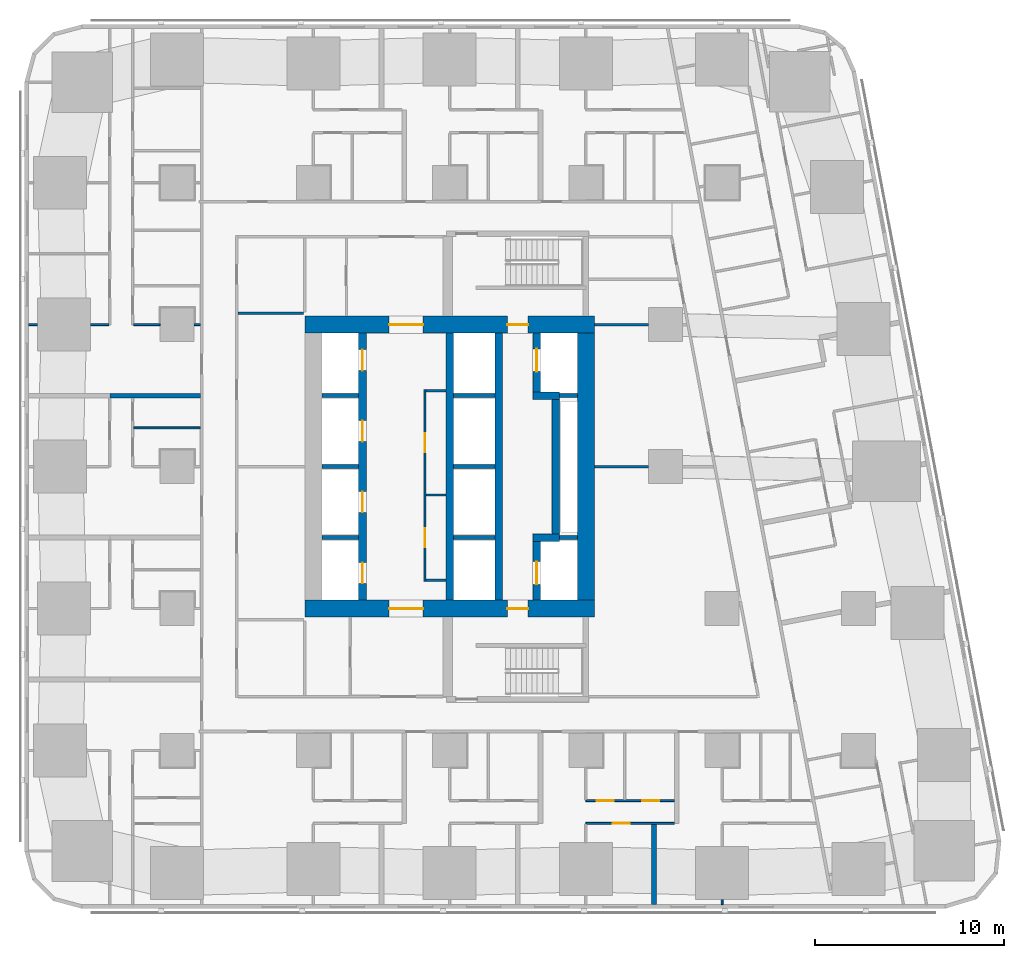
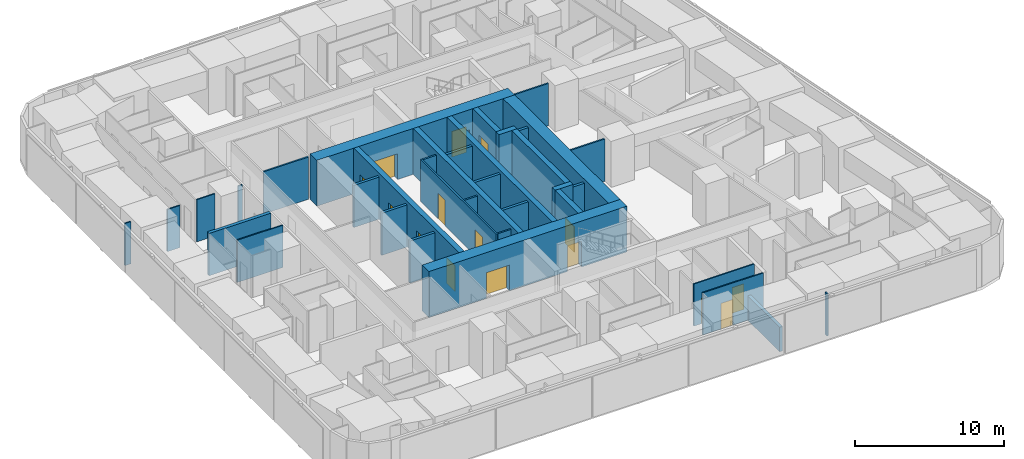
# One storey, part 5 of 15: 36 walls, 15 doors, 15 openings.
"""IFC4 building model written with IfcOpenShell, lengths in metres."""

from ifc_helpers import new_model, si_unit, direction, frame, frame_2d, origin, place, context, subcontext, project, spatial, rectangle, extrude, material, layer, layer_set, type_object, element, fill, save


model = new_model("IFC4")

# Units and contexts
model_context = context("Model", 3, precision=1e-05, world=origin(), true_north=direction((0.0, 1.0)))
body_context = subcontext(model_context, "Body", "Model", "MODEL_VIEW")
ifc_project = project(units=[si_unit("LENGTHUNIT", "METRE"), si_unit("AREAUNIT", "SQUARE_METRE"), si_unit("VOLUMEUNIT", "CUBIC_METRE"), si_unit("PLANEANGLEUNIT", "RADIAN"), si_unit("MASSUNIT", "GRAM", prefix="KILO")], contexts=[model_context])

# Site, building, storey
site_placement = place(None, origin())
site = spatial("IfcSite", under=ifc_project, at=site_placement, CompositionType="ELEMENT")
building_placement = place(site_placement, origin())
building = spatial("IfcBuilding", under=site, at=building_placement, Name="Sheger Commons Tower", CompositionType="ELEMENT")
storey_placement = place(building_placement, frame((0.0, 0.0, 68.75)))
storey = spatial("IfcBuildingStorey", under=building, at=storey_placement, Name="L17", CompositionType="ELEMENT", Elevation=68.75)

# Wall, openings, doors
ifc_material_1 = material(Name="Concrete C50/60", Category="concrete")
ifc_layer_1 = layer(ifc_material_1, 0.39990234375)
ifc_layer_set_1 = layer_set([ifc_layer_1], Name="CORE INNER WALL 400")
wall_type_1 = type_object("IfcWallType", Name="CORE INNER WALL 400", PredefinedType="SHEAR", material=ifc_layer_set_1)
wall_1_placement = place(storey_placement, frame((17.0, 15.449951171875, 0.0), z_axis=(0.0, 0.0, 1.0), x_axis=(0.0, 1.0, 0.0)))
wall_1 = element("IfcWall", 1, at=wall_1_placement, inside=storey, type_object=wall_type_1, Name="Core inner wall A L17", PredefinedType="SHEAR", context=body_context, shape_type="SweptSolid", body=[
    extrude(rectangle(XDim=14.10009765625, YDim=0.39990234375, at=frame_2d((7.050048828125, 0.0))), origin(), (0.0, 0.0, 1.0), 3.75),
])
opening_1_placement = place(wall_1_placement, frame((0.875, 0.0, 0.0)))
opening_1 = element("IfcOpeningElement", 2, at=opening_1_placement, cuts=wall_1, Name="Opening LD", PredefinedType="OPENING", context=body_context, shape_type="SweptSolid", body=[
    extrude(rectangle(XDim=1.10009765625, YDim=2.10009765625, at=frame_2d((0.550048828125, 1.050048828125))), frame((0.0, 0.2099609375, 0.0), z_axis=(0.0, -1.0, 0.0), x_axis=(1.0, 0.0, 0.0)), (0.0, 0.0, 1.0), 0.419921875),
])
opening_2_placement = place(wall_1_placement, frame((4.625, 0.0, 0.0)))
opening_2 = element("IfcOpeningElement", 3, at=opening_2_placement, cuts=wall_1, Name="Opening LD", PredefinedType="OPENING", context=body_context, shape_type="SweptSolid", body=[
    extrude(rectangle(XDim=1.10009765625, YDim=2.10009765625, at=frame_2d((0.550048828125, 1.050048828125))), frame((0.0, 0.2099609375, 0.0), z_axis=(0.0, -1.0, 0.0), x_axis=(1.0, 0.0, 0.0)), (0.0, 0.0, 1.0), 0.419921875),
])
opening_3_placement = place(wall_1_placement, frame((8.375, 0.0, 0.0)))
opening_3 = element("IfcOpeningElement", 4, at=opening_3_placement, cuts=wall_1, Name="Opening LD", PredefinedType="OPENING", context=body_context, shape_type="SweptSolid", body=[
    extrude(rectangle(XDim=1.10009765625, YDim=2.10009765625, at=frame_2d((0.550048828125, 1.050048828125))), frame((0.0, 0.2099609375, 0.0), z_axis=(0.0, -1.0, 0.0), x_axis=(1.0, 0.0, 0.0)), (0.0, 0.0, 1.0), 0.419921875),
])
opening_4_placement = place(wall_1_placement, frame((12.125, 0.0, 0.0)))
opening_4 = element("IfcOpeningElement", 5, at=opening_4_placement, cuts=wall_1, Name="Opening LD", PredefinedType="OPENING", context=body_context, shape_type="SweptSolid", body=[
    extrude(rectangle(XDim=1.10009765625, YDim=2.10009765625, at=frame_2d((0.550048828125, 1.050048828125))), frame((0.0, 0.2099609375, 0.0), z_axis=(0.0, -1.0, 0.0), x_axis=(1.0, 0.0, 0.0)), (0.0, 0.0, 1.0), 0.419921875),
])
ifc_material_2 = material(Name="Steel door set, fire rated", Category="steel")
door_type_1 = type_object("IfcDoorType", Name="LIFT LANDING DOOR 1100x2100", OperationType="DOUBLE_DOOR_SLIDING", PredefinedType="DOOR", material=ifc_material_2)
door_1_placement = place(opening_1_placement, origin())
door_1 = element("IfcDoor", 6, at=door_1_placement, inside=storey, type_object=door_type_1, Name="Lift LA1 landing door", OperationType="DOUBLE_DOOR_SLIDING", OverallHeight=2.10009765625, OverallWidth=1.10009765625, PredefinedType="DOOR", context=body_context, shape_type="SweptSolid", body=[
    extrude(rectangle(XDim=1.10009765625, YDim=2.10009765625, at=frame_2d((0.550048828125, 1.050048828125))), frame((0.0, 0.02490234375, 0.0), z_axis=(0.0, -1.0, 0.0), x_axis=(1.0, 0.0, 0.0)), (0.0, 0.0, 1.0), 0.050048828125),
])
fill(opening_1, door_1)
door_2_placement = place(opening_2_placement, origin())
door_2 = element("IfcDoor", 7, at=door_2_placement, inside=storey, type_object=door_type_1, Name="Lift LA2 landing door", OperationType="DOUBLE_DOOR_SLIDING", OverallHeight=2.10009765625, OverallWidth=1.10009765625, PredefinedType="DOOR", context=body_context, shape_type="SweptSolid", body=[
    extrude(rectangle(XDim=1.10009765625, YDim=2.10009765625, at=frame_2d((0.550048828125, 1.050048828125))), frame((0.0, 0.02490234375, 0.0), z_axis=(0.0, -1.0, 0.0), x_axis=(1.0, 0.0, 0.0)), (0.0, 0.0, 1.0), 0.050048828125),
])
fill(opening_2, door_2)
door_3_placement = place(opening_3_placement, origin())
door_3 = element("IfcDoor", 8, at=door_3_placement, inside=storey, type_object=door_type_1, Name="Lift LA3 landing door", OperationType="DOUBLE_DOOR_SLIDING", OverallHeight=2.10009765625, OverallWidth=1.10009765625, PredefinedType="DOOR", context=body_context, shape_type="SweptSolid", body=[
    extrude(rectangle(XDim=1.10009765625, YDim=2.10009765625, at=frame_2d((0.550048828125, 1.050048828125))), frame((0.0, 0.02490234375, 0.0), z_axis=(0.0, -1.0, 0.0), x_axis=(1.0, 0.0, 0.0)), (0.0, 0.0, 1.0), 0.050048828125),
])
fill(opening_3, door_3)
door_4_placement = place(opening_4_placement, origin())
door_4 = element("IfcDoor", 9, at=door_4_placement, inside=storey, type_object=door_type_1, Name="Lift LA4 landing door", OperationType="DOUBLE_DOOR_SLIDING", OverallHeight=2.10009765625, OverallWidth=1.10009765625, PredefinedType="DOOR", context=body_context, shape_type="SweptSolid", body=[
    extrude(rectangle(XDim=1.10009765625, YDim=2.10009765625, at=frame_2d((0.550048828125, 1.050048828125))), frame((0.0, 0.02490234375, 0.0), z_axis=(0.0, -1.0, 0.0), x_axis=(1.0, 0.0, 0.0)), (0.0, 0.0, 1.0), 0.050048828125),
])
fill(opening_4, door_4)

# Walls
for number, where, z_axis, x_axis, name in (
    (10, (21.60009765625, 15.449951171875, 0.0), (0.0, 0.0, 1.0), (0.0, 1.0, 0.0), "Core inner wall L L17"),
    (11, (24.199951171875, 15.449951171875, 0.0), (0.0, 0.0, 1.0), (0.0, 1.0, 0.0), "Core inner wall B L17"),
):
    element("IfcWall", number, at=place(storey_placement, frame(where, z_axis=z_axis, x_axis=x_axis)), inside=storey, type_object=wall_type_1, Name=name, PredefinedType="SHEAR", context=body_context, shape_type="SweptSolid", body=[
        extrude(rectangle(XDim=14.10009765625, YDim=0.39990234375, at=frame_2d((7.050048828125, 0.0))), origin(), (0.0, 0.0, 1.0), 3.75),
    ])

# Wall, opening, door
wall_2_placement = place(storey_placement, frame((26.199951171875, 15.449951171875, 0.0), z_axis=(0.0, 0.0, 1.0), x_axis=(0.0, 1.0, 0.0)))
wall_2 = element("IfcWall", 12, at=wall_2_placement, inside=storey, type_object=wall_type_1, Name="Core inner wall F L17", PredefinedType="SHEAR", context=body_context, shape_type="SweptSolid", body=[
    extrude(rectangle(XDim=3.10009765625, YDim=0.39990234375, at=frame_2d((1.550048828125, 0.0))), origin(), (0.0, 0.0, 1.0), 3.75),
])
opening_5_placement = place(wall_2_placement, frame((0.824951171875, 0.0, 0.0)))
opening_5 = element("IfcOpeningElement", 13, at=opening_5_placement, cuts=wall_2, Name="Opening LD2", PredefinedType="OPENING", context=body_context, shape_type="SweptSolid", body=[
    extrude(rectangle(XDim=1.199951171875, YDim=2.10009765625, at=frame_2d((0.60009765625, 1.050048828125))), frame((0.0, 0.2099609375, 0.0), z_axis=(0.0, -1.0, 0.0), x_axis=(1.0, 0.0, 0.0)), (0.0, 0.0, 1.0), 0.419921875),
])
ifc_material_3 = material(Name="Steel door set, fire rated", Category="steel")
door_type_2 = type_object("IfcDoorType", Name="FIREFIGHTING LIFT LANDING DOOR 1200x2100", OperationType="DOUBLE_DOOR_SLIDING", PredefinedType="DOOR", material=ifc_material_3)
door_5_placement = place(opening_5_placement, origin())
door_5 = element("IfcDoor", 14, at=door_5_placement, inside=storey, type_object=door_type_2, Name="Lift FL1 landing door", OperationType="DOUBLE_DOOR_SLIDING", OverallHeight=2.10009765625, OverallWidth=1.199951171875, PredefinedType="DOOR", context=body_context, shape_type="SweptSolid", body=[
    extrude(rectangle(XDim=1.199951171875, YDim=2.10009765625, at=frame_2d((0.60009765625, 1.050048828125))), frame((0.0, 0.02490234375, 0.0), z_axis=(0.0, -1.0, 0.0), x_axis=(1.0, 0.0, 0.0)), (0.0, 0.0, 1.0), 0.050048828125),
])
fill(opening_5, door_5)

# Walls
wall_3_placement = place(storey_placement, frame((26.0, 18.75, 0.0), z_axis=(0.0, 0.0, 1.0), x_axis=(1.0, 0.0, 0.0)))
element("IfcWall", 15, at=wall_3_placement, inside=storey, type_object=wall_type_1, Name="Core inner wall F south return L17", PredefinedType="SHEAR", context=body_context, shape_type="SweptSolid", body=[
    extrude(rectangle(XDim=1.39990234375, YDim=0.39990234375, at=frame_2d((0.699951171875, 0.0))), origin(), (0.0, 0.0, 1.0), 3.75),
])
wall_4_placement = place(storey_placement, frame((27.199951171875, 18.949951171875, 0.0), z_axis=(0.0, 0.0, 1.0), x_axis=(0.0, 1.0, 0.0)))
element("IfcWall", 16, at=wall_4_placement, inside=storey, type_object=wall_type_1, Name="Core inner wall F middle L17", PredefinedType="SHEAR", context=body_context, shape_type="SweptSolid", body=[
    extrude(rectangle(XDim=7.10009765625, YDim=0.39990234375, at=frame_2d((3.550048828125, 0.0))), origin(), (0.0, 0.0, 1.0), 3.75),
])
wall_5_placement = place(storey_placement, frame((26.0, 26.25, 0.0), z_axis=(0.0, 0.0, 1.0), x_axis=(1.0, 0.0, 0.0)))
element("IfcWall", 17, at=wall_5_placement, inside=storey, type_object=wall_type_1, Name="Core inner wall F north return L17", PredefinedType="SHEAR", context=body_context, shape_type="SweptSolid", body=[
    extrude(rectangle(XDim=1.39990234375, YDim=0.39990234375, at=frame_2d((0.699951171875, 0.0))), origin(), (0.0, 0.0, 1.0), 3.75),
])

# Wall, opening, door
wall_6_placement = place(storey_placement, frame((26.199951171875, 26.449951171875, 0.0), z_axis=(0.0, 0.0, 1.0), x_axis=(0.0, 1.0, 0.0)))
wall_6 = element("IfcWall", 18, at=wall_6_placement, inside=storey, type_object=wall_type_1, Name="Core inner wall F north L17", PredefinedType="SHEAR", context=body_context, shape_type="SweptSolid", body=[
    extrude(rectangle(XDim=3.10009765625, YDim=0.39990234375, at=frame_2d((1.550048828125, 0.0))), origin(), (0.0, 0.0, 1.0), 3.75),
])
opening_6_placement = place(wall_6_placement, frame((1.074951171875, 0.0, 0.0)))
opening_6 = element("IfcOpeningElement", 19, at=opening_6_placement, cuts=wall_6, Name="Opening LD2", PredefinedType="OPENING", context=body_context, shape_type="SweptSolid", body=[
    extrude(rectangle(XDim=1.199951171875, YDim=2.10009765625, at=frame_2d((0.60009765625, 1.050048828125))), frame((0.0, 0.2099609375, 0.0), z_axis=(0.0, -1.0, 0.0), x_axis=(1.0, 0.0, 0.0)), (0.0, 0.0, 1.0), 0.419921875),
])
door_6_placement = place(opening_6_placement, origin())
door_6 = element("IfcDoor", 20, at=door_6_placement, inside=storey, type_object=door_type_2, Name="Lift FL2 landing door", OperationType="DOUBLE_DOOR_SLIDING", OverallHeight=2.10009765625, OverallWidth=1.199951171875, PredefinedType="DOOR", context=body_context, shape_type="SweptSolid", body=[
    extrude(rectangle(XDim=1.199951171875, YDim=2.10009765625, at=frame_2d((0.60009765625, 1.050048828125))), frame((0.0, 0.02490234375, 0.0), z_axis=(0.0, -1.0, 0.0), x_axis=(1.0, 0.0, 0.0)), (0.0, 0.0, 1.0), 0.050048828125),
])
fill(opening_6, door_6)

# Wall, openings, doors
ifc_material_4 = material(Name="Concrete C50/60", Category="concrete")
ifc_layer_2 = layer(ifc_material_4, 0.89990234375)
ifc_layer_set_2 = layer_set([ifc_layer_2], Name="CORE WALL 900")
wall_type_2 = type_object("IfcWallType", Name="CORE WALL 900", PredefinedType="SHEAR", material=ifc_layer_set_2)
wall_7_placement = place(storey_placement, frame((13.949951171875, 15.0, 0.0), z_axis=(0.0, 0.0, 1.0), x_axis=(1.0, 0.0, 0.0)))
wall_7 = element("IfcWall", 21, at=wall_7_placement, inside=storey, type_object=wall_type_2, Name="Core wall south L17", PredefinedType="SHEAR", context=body_context, shape_type="SweptSolid", body=[
    extrude(rectangle(XDim=15.300048828125, YDim=0.89990234375, at=frame_2d((7.64990234375, 0.0))), origin(), (0.0, 0.0, 1.0), 3.75),
])
opening_7_placement = place(wall_7_placement, frame((4.449951171875, 0.0, 0.0)))
opening_7 = element("IfcOpeningElement", 22, at=opening_7_placement, cuts=wall_7, Name="Opening D6", PredefinedType="OPENING", context=body_context, shape_type="SweptSolid", body=[
    extrude(rectangle(XDim=1.800048828125, YDim=2.10009765625, at=frame_2d((0.89990234375, 1.050048828125))), frame((0.0, 0.4599609375, 0.0), z_axis=(0.0, -1.0, 0.0), x_axis=(1.0, 0.0, 0.0)), (0.0, 0.0, 1.0), 0.919921875),
])
opening_8_placement = place(wall_7_placement, frame((10.699951171875, 0.0, 0.0)))
opening_8 = element("IfcOpeningElement", 23, at=opening_8_placement, cuts=wall_7, Name="Opening D5", PredefinedType="OPENING", context=body_context, shape_type="SweptSolid", body=[
    extrude(rectangle(XDim=1.10009765625, YDim=2.10009765625, at=frame_2d((0.550048828125, 1.050048828125))), frame((0.0, 0.4599609375, 0.0), z_axis=(0.0, -1.0, 0.0), x_axis=(1.0, 0.0, 0.0)), (0.0, 0.0, 1.0), 0.919921875),
])
ifc_material_5 = material(Name="Steel door set, fire rated", Category="steel")
door_type_3 = type_object("IfcDoorType", Name="LOBBY DOUBLE DOOR 1800x2100", OperationType="DOUBLE_DOOR_SINGLE_SWING", PredefinedType="DOOR", material=ifc_material_5)
door_7_placement = place(opening_7_placement, origin())
door_7 = element("IfcDoor", 24, at=door_7_placement, inside=storey, type_object=door_type_3, Name="Lift lobby door", OperationType="DOUBLE_DOOR_SINGLE_SWING", OverallHeight=2.10009765625, OverallWidth=1.800048828125, PredefinedType="DOOR", context=body_context, shape_type="SweptSolid", body=[
    extrude(rectangle(XDim=1.800048828125, YDim=2.10009765625, at=frame_2d((0.89990234375, 1.050048828125))), frame((0.0, 0.02490234375, 0.0), z_axis=(0.0, -1.0, 0.0), x_axis=(1.0, 0.0, 0.0)), (0.0, 0.0, 1.0), 0.050048828125),
])
fill(opening_7, door_7)
ifc_material_6 = material(Name="Steel door set, fire rated", Category="steel")
door_type_4 = type_object("IfcDoorType", Name="STAIR DOOR 1100x2100", OperationType="NOTDEFINED", PredefinedType="DOOR", material=ifc_material_6)
door_8_placement = place(opening_8_placement, origin())
door_8 = element("IfcDoor", 25, at=door_8_placement, inside=storey, type_object=door_type_4, Name="Fire-fighting lobby door", OperationType="SINGLE_SWING_LEFT", OverallHeight=2.10009765625, OverallWidth=1.10009765625, PredefinedType="DOOR", context=body_context, shape_type="SweptSolid", body=[
    extrude(rectangle(XDim=1.10009765625, YDim=2.10009765625, at=frame_2d((0.550048828125, 1.050048828125))), frame((0.0, 0.02490234375, 0.0), z_axis=(0.0, -1.0, 0.0), x_axis=(1.0, 0.0, 0.0)), (0.0, 0.0, 1.0), 0.050048828125),
])
fill(opening_8, door_8)

wall_8_placement = place(storey_placement, frame((13.949951171875, 30.0, 0.0), z_axis=(0.0, 0.0, 1.0), x_axis=(1.0, 0.0, 0.0)))
wall_8 = element("IfcWall", 26, at=wall_8_placement, inside=storey, type_object=wall_type_2, Name="Core wall north L17", PredefinedType="SHEAR", context=body_context, shape_type="SweptSolid", body=[
    extrude(rectangle(XDim=15.300048828125, YDim=0.89990234375, at=frame_2d((7.64990234375, 0.0))), origin(), (0.0, 0.0, 1.0), 3.75),
])
opening_9_placement = place(wall_8_placement, frame((4.449951171875, 0.0, 0.0)))
opening_9 = element("IfcOpeningElement", 27, at=opening_9_placement, cuts=wall_8, Name="Opening D6", PredefinedType="OPENING", context=body_context, shape_type="SweptSolid", body=[
    extrude(rectangle(XDim=1.800048828125, YDim=2.10009765625, at=frame_2d((0.89990234375, 1.050048828125))), frame((0.0, 0.4599609375, 0.0), z_axis=(0.0, -1.0, 0.0), x_axis=(1.0, 0.0, 0.0)), (0.0, 0.0, 1.0), 0.919921875),
])
opening_10_placement = place(wall_8_placement, frame((10.699951171875, 0.0, 0.0)))
opening_10 = element("IfcOpeningElement", 28, at=opening_10_placement, cuts=wall_8, Name="Opening D5", PredefinedType="OPENING", context=body_context, shape_type="SweptSolid", body=[
    extrude(rectangle(XDim=1.10009765625, YDim=2.10009765625, at=frame_2d((0.550048828125, 1.050048828125))), frame((0.0, 0.4599609375, 0.0), z_axis=(0.0, -1.0, 0.0), x_axis=(1.0, 0.0, 0.0)), (0.0, 0.0, 1.0), 0.919921875),
])
door_9_placement = place(opening_9_placement, origin())
door_9 = element("IfcDoor", 29, at=door_9_placement, inside=storey, type_object=door_type_3, Name="Lift lobby door", OperationType="DOUBLE_DOOR_SINGLE_SWING", OverallHeight=2.10009765625, OverallWidth=1.800048828125, PredefinedType="DOOR", context=body_context, shape_type="SweptSolid", body=[
    extrude(rectangle(XDim=1.800048828125, YDim=2.10009765625, at=frame_2d((0.89990234375, 1.050048828125))), frame((0.0, 0.02490234375, 0.0), z_axis=(0.0, -1.0, 0.0), x_axis=(1.0, 0.0, 0.0)), (0.0, 0.0, 1.0), 0.050048828125),
])
fill(opening_9, door_9)
door_10_placement = place(opening_10_placement, origin())
door_10 = element("IfcDoor", 30, at=door_10_placement, inside=storey, type_object=door_type_4, Name="Fire-fighting lobby door", OperationType="SINGLE_SWING_LEFT", OverallHeight=2.10009765625, OverallWidth=1.10009765625, PredefinedType="DOOR", context=body_context, shape_type="SweptSolid", body=[
    extrude(rectangle(XDim=1.10009765625, YDim=2.10009765625, at=frame_2d((0.550048828125, 1.050048828125))), frame((0.0, 0.02490234375, 0.0), z_axis=(0.0, -1.0, 0.0), x_axis=(1.0, 0.0, 0.0)), (0.0, 0.0, 1.0), 0.050048828125),
])
fill(opening_10, door_10)

# Walls
wall_9_placement = place(storey_placement, frame((28.800048828125, 15.449951171875, 0.0), z_axis=(0.0, 0.0, 1.0), x_axis=(0.0, 1.0, 0.0)))
element("IfcWall", 31, at=wall_9_placement, inside=storey, type_object=wall_type_2, Name="Core wall east L17", PredefinedType="SHEAR", context=body_context, shape_type="SweptSolid", body=[
    extrude(rectangle(XDim=14.10009765625, YDim=0.89990234375, at=frame_2d((7.050048828125, 0.0))), origin(), (0.0, 0.0, 1.0), 3.75),
])
ifc_material_7 = material(Name="Dense concrete block masonry, plastered both sides (separating wall between flats)", Category="masonry")
ifc_layer_3 = layer(ifc_material_7, 0.25)
ifc_layer_set_3 = layer_set([ifc_layer_3], Name="DEMISING WALL 250")
wall_type_3 = type_object("IfcWallType", Name="DEMISING WALL 250", PredefinedType="SOLIDWALL", material=ifc_layer_set_3)
wall_10_placement = place(storey_placement, frame((3.64990234375, 26.25, 0.0), z_axis=(0.0, 0.0, 1.0), x_axis=(1.0, 0.0, 0.0)))
element("IfcWall", 32, at=wall_10_placement, inside=storey, type_object=wall_type_3, Name="Demising wall L17", PredefinedType="SOLIDWALL", context=body_context, shape_type="SweptSolid", body=[
    extrude(rectangle(XDim=4.775146484375, YDim=0.25, at=frame_2d((2.3876953125, 0.0))), origin(), (0.0, 0.0, 1.0), 3.449951171875),
])
wall_11_placement = place(storey_placement, frame((32.39990234375, -0.64990234375, 0.0), z_axis=(0.0, 0.0, 1.0), x_axis=(0.0, 1.0, 0.0)))
element("IfcWall", 33, at=wall_11_placement, inside=storey, type_object=wall_type_3, Name="Demising wall L17", PredefinedType="SOLIDWALL", context=body_context, shape_type="SweptSolid", body=[
    extrude(rectangle(XDim=4.25, YDim=0.25, at=frame_2d((2.125, 0.0))), origin(), (0.0, 0.0, 1.0), 2.0),
])
ifc_material_8 = material(Name="Gypsum board on steel studs", Category="steel")
ifc_layer_4 = layer(ifc_material_8, 0.10009765625)
ifc_layer_set_4 = layer_set([ifc_layer_4], Name="PARTITION 100")
wall_type_4 = type_object("IfcWallType", Name="PARTITION 100", PredefinedType="PARTITIONING", material=ifc_layer_set_4)
wall_12_placement = place(storey_placement, frame((4.89990234375, 24.550048828125, 0.0), z_axis=(0.0, 0.0, 1.0), x_axis=(1.0, 0.0, 0.0)))
element("IfcWall", 34, at=wall_12_placement, inside=storey, type_object=wall_type_4, Name="Partition L17", PredefinedType="PARTITIONING", context=body_context, shape_type="SweptSolid", body=[
    extrude(rectangle(XDim=3.525146484375, YDim=0.10009765625, at=frame_2d((1.7626953125, 0.0))), origin(), (0.0, 0.0, 1.0), 3.449951171875),
])
wall_13_placement = place(storey_placement, frame((-0.64990234375, 30.0, 0.0), z_axis=(0.0, 0.0, 1.0), x_axis=(1.0, 0.0, 0.0)))
element("IfcWall", 35, at=wall_13_placement, inside=storey, type_object=wall_type_4, Name="Partition L17", PredefinedType="PARTITIONING", context=body_context, shape_type="SweptSolid", body=[
    extrude(rectangle(XDim=0.473876953125, YDim=0.10009765625, at=frame_2d((0.23681640625, 0.0))), origin(), (0.0, 0.0, 1.0), 3.449951171875),
])
wall_14_placement = place(storey_placement, frame((2.6259765625, 30.0, 0.0), z_axis=(0.0, 0.0, 1.0), x_axis=(1.0, 0.0, 0.0)))
element("IfcWall", 36, at=wall_14_placement, inside=storey, type_object=wall_type_4, Name="Partition L17", PredefinedType="PARTITIONING", context=body_context, shape_type="SweptSolid", body=[
    extrude(rectangle(XDim=0.97412109375, YDim=0.10009765625, at=frame_2d((0.487060546875, 0.0))), origin(), (0.0, 0.0, 1.0), 3.449951171875),
])
wall_15_placement = place(storey_placement, frame((4.89990234375, 30.0, 0.0), z_axis=(0.0, 0.0, 1.0), x_axis=(1.0, 0.0, 0.0)))
element("IfcWall", 37, at=wall_15_placement, inside=storey, type_object=wall_type_4, Name="Partition L17", PredefinedType="PARTITIONING", context=body_context, shape_type="SweptSolid", body=[
    extrude(rectangle(XDim=1.399169921875, YDim=0.10009765625, at=frame_2d((0.69970703125, 0.0))), origin(), (0.0, 0.0, 1.0), 3.449951171875),
])
wall_16_placement = place(storey_placement, frame((8.10107421875, 30.0, 0.0), z_axis=(0.0, 0.0, 1.0), x_axis=(1.0, 0.0, 0.0)))
element("IfcWall", 38, at=wall_16_placement, inside=storey, type_object=wall_type_4, Name="Partition L17", PredefinedType="PARTITIONING", context=body_context, shape_type="SweptSolid", body=[
    extrude(rectangle(XDim=0.323974609375, YDim=0.10009765625, at=frame_2d((0.162109375, 0.0))), origin(), (0.0, 0.0, 1.0), 3.449951171875),
])

# Wall, opening, door
wall_17_placement = place(storey_placement, frame((33.47412109375, 3.64990234375, 0.0), z_axis=(0.0, 0.0, 1.0), x_axis=(-1.0, 0.0, 0.0)))
wall_17 = element("IfcWall", 39, at=wall_17_placement, inside=storey, type_object=wall_type_4, Name="Partition L17", PredefinedType="PARTITIONING", context=body_context, shape_type="SweptSolid", body=[
    extrude(rectangle(XDim=4.674072265625, YDim=0.10009765625, at=frame_2d((2.3369140625, 0.0))), origin(), (0.0, 0.0, 1.0), 3.449951171875),
])
opening_11_placement = place(wall_17_placement, frame((2.35009765625, 0.0, 0.0)))
opening_11 = element("IfcOpeningElement", 40, at=opening_11_placement, cuts=wall_17, Name="Opening D2", PredefinedType="OPENING", context=body_context, shape_type="SweptSolid", body=[
    extrude(rectangle(XDim=0.89990234375, YDim=2.10009765625, at=frame_2d((0.449951171875, 1.050048828125))), frame((0.0, 0.06005859375, 0.0), z_axis=(0.0, -1.0, 0.0), x_axis=(1.0, 0.0, 0.0)), (0.0, 0.0, 1.0), 0.1201171875),
])
ifc_material_9 = material(Name="Timber door set", Category="wood")
door_type_5 = type_object("IfcDoorType", Name="INTERNAL DOOR 900x2100", OperationType="NOTDEFINED", PredefinedType="DOOR", material=ifc_material_9)
door_11_placement = place(opening_11_placement, origin())
door_11 = element("IfcDoor", 41, at=door_11_placement, inside=storey, type_object=door_type_5, Name="Main bedroom door", OperationType="SINGLE_SWING_RIGHT", OverallHeight=2.10009765625, OverallWidth=0.89990234375, PredefinedType="DOOR", context=body_context, shape_type="SweptSolid", body=[
    extrude(rectangle(XDim=0.89990234375, YDim=2.10009765625, at=frame_2d((0.449951171875, 1.050048828125))), frame((0.0, 0.02490234375, 0.0), z_axis=(0.0, -1.0, 0.0), x_axis=(1.0, 0.0, 0.0)), (0.0, 0.0, 1.0), 0.050048828125),
])
fill(opening_11, door_11)

# Wall, openings, doors
wall_18_placement = place(storey_placement, frame((33.47412109375, 4.85009765625, 0.0), z_axis=(0.0, 0.0, 1.0), x_axis=(-1.0, 0.0, 0.0)))
wall_18 = element("IfcWall", 42, at=wall_18_placement, inside=storey, type_object=wall_type_4, Name="Partition L17", PredefinedType="PARTITIONING", context=body_context, shape_type="SweptSolid", body=[
    extrude(rectangle(XDim=4.674072265625, YDim=0.10009765625, at=frame_2d((2.3369140625, 0.0))), origin(), (0.0, 0.0, 1.0), 3.449951171875),
])
opening_12_placement = place(wall_18_placement, frame((3.198974609375, 0.0, 0.0)))
opening_12 = element("IfcOpeningElement", 43, at=opening_12_placement, cuts=wall_18, Name="Opening D2", PredefinedType="OPENING", context=body_context, shape_type="SweptSolid", body=[
    extrude(rectangle(XDim=0.89990234375, YDim=2.10009765625, at=frame_2d((0.449951171875, 1.050048828125))), frame((0.0, 0.06005859375, 0.0), z_axis=(0.0, -1.0, 0.0), x_axis=(1.0, 0.0, 0.0)), (0.0, 0.0, 1.0), 0.1201171875),
])
opening_13_placement = place(wall_18_placement, frame((0.800048828125, 0.0, 0.0)))
opening_13 = element("IfcOpeningElement", 44, at=opening_13_placement, cuts=wall_18, Name="Opening D2", PredefinedType="OPENING", context=body_context, shape_type="SweptSolid", body=[
    extrude(rectangle(XDim=0.89990234375, YDim=2.10009765625, at=frame_2d((0.449951171875, 1.050048828125))), frame((0.0, 0.06005859375, 0.0), z_axis=(0.0, -1.0, 0.0), x_axis=(1.0, 0.0, 0.0)), (0.0, 0.0, 1.0), 0.1201171875),
])
door_12_placement = place(opening_12_placement, origin())
door_12 = element("IfcDoor", 45, at=door_12_placement, inside=storey, type_object=door_type_5, Name="Bathroom door", OperationType="SINGLE_SWING_LEFT", OverallHeight=2.10009765625, OverallWidth=0.89990234375, PredefinedType="DOOR", context=body_context, shape_type="SweptSolid", body=[
    extrude(rectangle(XDim=0.89990234375, YDim=2.10009765625, at=frame_2d((0.449951171875, 1.050048828125))), frame((0.0, 0.02490234375, 0.0), z_axis=(0.0, -1.0, 0.0), x_axis=(1.0, 0.0, 0.0)), (0.0, 0.0, 1.0), 0.050048828125),
])
fill(opening_12, door_12)
door_13_placement = place(opening_13_placement, origin())
door_13 = element("IfcDoor", 46, at=door_13_placement, inside=storey, type_object=door_type_5, Name="Store door", OperationType="SINGLE_SWING_RIGHT", OverallHeight=2.10009765625, OverallWidth=0.89990234375, PredefinedType="DOOR", context=body_context, shape_type="SweptSolid", body=[
    extrude(rectangle(XDim=0.89990234375, YDim=2.10009765625, at=frame_2d((0.449951171875, 1.050048828125))), frame((0.0, 0.02490234375, 0.0), z_axis=(0.0, -1.0, 0.0), x_axis=(1.0, 0.0, 0.0)), (0.0, 0.0, 1.0), 0.050048828125),
])
fill(opening_13, door_13)

# Walls
wall_19_placement = place(storey_placement, frame((36.0, -0.64990234375, 0.0), z_axis=(0.0, 0.0, 1.0), x_axis=(0.0, 1.0, 0.0)))
element("IfcWall", 47, at=wall_19_placement, inside=storey, type_object=wall_type_4, Name="Partition L17", PredefinedType="PARTITIONING", context=body_context, shape_type="SweptSolid", body=[
    extrude(rectangle(XDim=0.27392578125, YDim=0.10009765625, at=frame_2d((0.136962890625, 0.0))), origin(), (0.0, 0.0, 1.0), 3.449951171875),
])
ifc_material_10 = material(Name="Gypsum board on steel studs, two layers each side, fire rated", Category="steel")
ifc_layer_5 = layer(ifc_material_10, 0.125)
ifc_layer_set_5 = layer_set([ifc_layer_5], Name="SERVICE WALL 125")
wall_type_5 = type_object("IfcWallType", Name="SERVICE WALL 125", PredefinedType="PARTITIONING", material=ifc_layer_set_5)
wall_20_placement = place(storey_placement, frame((10.4130859375, 30.60009765625, 0.0), z_axis=(0.0, 0.0, 1.0), x_axis=(1.0, 0.0, 0.0)))
element("IfcWall", 48, at=wall_20_placement, inside=storey, type_object=wall_type_5, Name="Service room wall L17", PredefinedType="PARTITIONING", context=body_context, shape_type="SweptSolid", body=[
    extrude(rectangle(XDim=3.474853515625, YDim=0.125, at=frame_2d((1.7373046875, 0.0))), origin(), (0.0, 0.0, 1.0), 3.449951171875),
])
for number, where, z_axis, x_axis, name in (
    (49, (29.25, 22.5, 0.0), (0.0, 0.0, 1.0), (1.0, 0.0, 0.0), "Service room wall L17"),
    (50, (29.25, 30.0, 0.0), (0.0, 0.0, 1.0), (1.0, 0.0, 0.0), "Service room wall L17"),
):
    element("IfcWall", number, at=place(storey_placement, frame(where, z_axis=z_axis, x_axis=x_axis)), inside=storey, type_object=wall_type_5, Name=name, PredefinedType="PARTITIONING", context=body_context, shape_type="SweptSolid", body=[
        extrude(rectangle(XDim=2.84912109375, YDim=0.125, at=frame_2d((1.424560546875, 0.0))), origin(), (0.0, 0.0, 1.0), 3.449951171875),
    ])

# Wall, openings, doors
wall_21_placement = place(storey_placement, frame((20.300048828125, 16.43798828125, 0.0), z_axis=(0.0, 0.0, 1.0), x_axis=(0.0, 1.0, 0.0)))
wall_21 = element("IfcWall", 51, at=wall_21_placement, inside=storey, type_object=wall_type_5, Name="Service room wall L17", PredefinedType="PARTITIONING", context=body_context, shape_type="SweptSolid", body=[
    extrude(rectangle(XDim=10.1240234375, YDim=0.125, at=frame_2d((5.06201171875, 0.0))), origin(), (0.0, 0.0, 1.0), 3.449951171875),
])
opening_14_placement = place(wall_21_placement, frame((1.81201171875, 0.0, 0.0)))
opening_14 = element("IfcOpeningElement", 52, at=opening_14_placement, cuts=wall_21, Name="Opening D4", PredefinedType="OPENING", context=body_context, shape_type="SweptSolid", body=[
    extrude(rectangle(XDim=1.0, YDim=2.10009765625, at=frame_2d((0.5, 1.050048828125))), frame((0.0, 0.072509765625, 0.0), z_axis=(0.0, -1.0, 0.0), x_axis=(1.0, 0.0, 0.0)), (0.0, 0.0, 1.0), 0.14501953125),
])
opening_15_placement = place(wall_21_placement, frame((6.81201171875, 0.0, 0.0)))
opening_15 = element("IfcOpeningElement", 53, at=opening_15_placement, cuts=wall_21, Name="Opening D4", PredefinedType="OPENING", context=body_context, shape_type="SweptSolid", body=[
    extrude(rectangle(XDim=1.0, YDim=2.10009765625, at=frame_2d((0.5, 1.050048828125))), frame((0.0, 0.072509765625, 0.0), z_axis=(0.0, -1.0, 0.0), x_axis=(1.0, 0.0, 0.0)), (0.0, 0.0, 1.0), 0.14501953125),
])
ifc_material_11 = material(Name="Steel door set, fire rated", Category="steel")
door_type_6 = type_object("IfcDoorType", Name="SERVICE DOOR 1000x2100", OperationType="NOTDEFINED", PredefinedType="DOOR", material=ifc_material_11)
door_14_placement = place(opening_14_placement, origin())
door_14 = element("IfcDoor", 54, at=door_14_placement, inside=storey, type_object=door_type_6, Name="Cleaner's cupboard door", OperationType="SINGLE_SWING_RIGHT", OverallHeight=2.10009765625, OverallWidth=1.0, PredefinedType="DOOR", context=body_context, shape_type="SweptSolid", body=[
    extrude(rectangle(XDim=1.0, YDim=2.10009765625, at=frame_2d((0.5, 1.050048828125))), frame((0.0, 0.02490234375, 0.0), z_axis=(0.0, -1.0, 0.0), x_axis=(1.0, 0.0, 0.0)), (0.0, 0.0, 1.0), 0.050048828125),
])
fill(opening_14, door_14)
door_15_placement = place(opening_15_placement, origin())
door_15 = element("IfcDoor", 55, at=door_15_placement, inside=storey, type_object=door_type_6, Name="Communications cupboard door", OperationType="SINGLE_SWING_LEFT", OverallHeight=2.10009765625, OverallWidth=1.0, PredefinedType="DOOR", context=body_context, shape_type="SweptSolid", body=[
    extrude(rectangle(XDim=1.0, YDim=2.10009765625, at=frame_2d((0.5, 1.050048828125))), frame((0.0, 0.02490234375, 0.0), z_axis=(0.0, -1.0, 0.0), x_axis=(1.0, 0.0, 0.0)), (0.0, 0.0, 1.0), 0.050048828125),
])
fill(opening_15, door_15)

# Walls
for number, where, z_axis, x_axis, name in (
    (56, (20.363037109375, 16.5, 0.0), (0.0, 0.0, 1.0), (1.0, 0.0, 0.0), "Service room wall L17"),
    (57, (20.363037109375, 26.5, 0.0), (0.0, 0.0, 1.0), (1.0, 0.0, 0.0), "Service room wall L17"),
    (58, (20.363037109375, 21.0, 0.0), (0.0, 0.0, 1.0), (1.0, 0.0, 0.0), "Service room wall L17"),
):
    element("IfcWall", number, at=place(storey_placement, frame(where, z_axis=z_axis, x_axis=x_axis)), inside=storey, type_object=wall_type_5, Name=name, PredefinedType="PARTITIONING", context=body_context, shape_type="SweptSolid", body=[
        extrude(rectangle(XDim=1.036865234375, YDim=0.125, at=frame_2d((0.5185546875, 0.0))), origin(), (0.0, 0.0, 1.0), 3.449951171875),
    ])
ifc_material_12 = material(Name="Hollow concrete block masonry", Category="masonry")
ifc_layer_6 = layer(ifc_material_12, 0.199951171875)
ifc_layer_set_6 = layer_set([ifc_layer_6], Name="SHAFT WALL 200")
wall_type_6 = type_object("IfcWallType", Name="SHAFT WALL 200", PredefinedType="SOLIDWALL", material=ifc_layer_set_6)
wall_22_placement = place(storey_placement, frame((14.85009765625, 18.75, 0.0), z_axis=(0.0, 0.0, 1.0), x_axis=(1.0, 0.0, 0.0)))
element("IfcWall", 59, at=wall_22_placement, inside=storey, type_object=wall_type_6, Name="Lift shaft wall L17", PredefinedType="SOLIDWALL", context=body_context, shape_type="SweptSolid", body=[
    extrude(rectangle(XDim=1.949951171875, YDim=0.199951171875, at=frame_2d((0.97509765625, 0.0))), origin(), (0.0, 0.0, 1.0), 3.449951171875),
])
wall_23_placement = place(storey_placement, frame((21.800048828125, 18.75, 0.0), z_axis=(0.0, 0.0, 1.0), x_axis=(1.0, 0.0, 0.0)))
element("IfcWall", 60, at=wall_23_placement, inside=storey, type_object=wall_type_6, Name="Lift shaft wall L17", PredefinedType="SOLIDWALL", context=body_context, shape_type="SweptSolid", body=[
    extrude(rectangle(XDim=2.199951171875, YDim=0.199951171875, at=frame_2d((1.10009765625, 0.0))), origin(), (0.0, 0.0, 1.0), 3.449951171875),
])
wall_24_placement = place(storey_placement, frame((14.85009765625, 22.5, 0.0), z_axis=(0.0, 0.0, 1.0), x_axis=(1.0, 0.0, 0.0)))
element("IfcWall", 61, at=wall_24_placement, inside=storey, type_object=wall_type_6, Name="Lift shaft wall L17", PredefinedType="SOLIDWALL", context=body_context, shape_type="SweptSolid", body=[
    extrude(rectangle(XDim=1.949951171875, YDim=0.199951171875, at=frame_2d((0.97509765625, 0.0))), origin(), (0.0, 0.0, 1.0), 3.449951171875),
])
wall_25_placement = place(storey_placement, frame((21.800048828125, 22.5, 0.0), z_axis=(0.0, 0.0, 1.0), x_axis=(1.0, 0.0, 0.0)))
element("IfcWall", 62, at=wall_25_placement, inside=storey, type_object=wall_type_6, Name="Lift shaft wall L17", PredefinedType="SOLIDWALL", context=body_context, shape_type="SweptSolid", body=[
    extrude(rectangle(XDim=2.199951171875, YDim=0.199951171875, at=frame_2d((1.10009765625, 0.0))), origin(), (0.0, 0.0, 1.0), 3.449951171875),
])
wall_26_placement = place(storey_placement, frame((14.85009765625, 26.25, 0.0), z_axis=(0.0, 0.0, 1.0), x_axis=(1.0, 0.0, 0.0)))
element("IfcWall", 63, at=wall_26_placement, inside=storey, type_object=wall_type_6, Name="Lift shaft wall L17", PredefinedType="SOLIDWALL", context=body_context, shape_type="SweptSolid", body=[
    extrude(rectangle(XDim=1.949951171875, YDim=0.199951171875, at=frame_2d((0.97509765625, 0.0))), origin(), (0.0, 0.0, 1.0), 3.449951171875),
])
wall_27_placement = place(storey_placement, frame((21.800048828125, 26.25, 0.0), z_axis=(0.0, 0.0, 1.0), x_axis=(1.0, 0.0, 0.0)))
element("IfcWall", 64, at=wall_27_placement, inside=storey, type_object=wall_type_6, Name="Lift shaft wall L17", PredefinedType="SOLIDWALL", context=body_context, shape_type="SweptSolid", body=[
    extrude(rectangle(XDim=2.199951171875, YDim=0.199951171875, at=frame_2d((1.10009765625, 0.0))), origin(), (0.0, 0.0, 1.0), 3.449951171875),
])
for number, where, z_axis, x_axis, name in (
    (65, (27.39990234375, 18.75, 0.0), (0.0, 0.0, 1.0), (1.0, 0.0, 0.0), "Lift shaft wall L17"),
    (66, (27.39990234375, 26.25, 0.0), (0.0, 0.0, 1.0), (1.0, 0.0, 0.0), "Lift shaft wall L17"),
):
    element("IfcWall", number, at=place(storey_placement, frame(where, z_axis=z_axis, x_axis=x_axis)), inside=storey, type_object=wall_type_6, Name=name, PredefinedType="SOLIDWALL", context=body_context, shape_type="SweptSolid", body=[
        extrude(rectangle(XDim=0.9501953125, YDim=0.199951171875, at=frame_2d((0.47509765625, 0.0))), origin(), (0.0, 0.0, 1.0), 3.449951171875),
    ])

save(model, "model.ifc")
